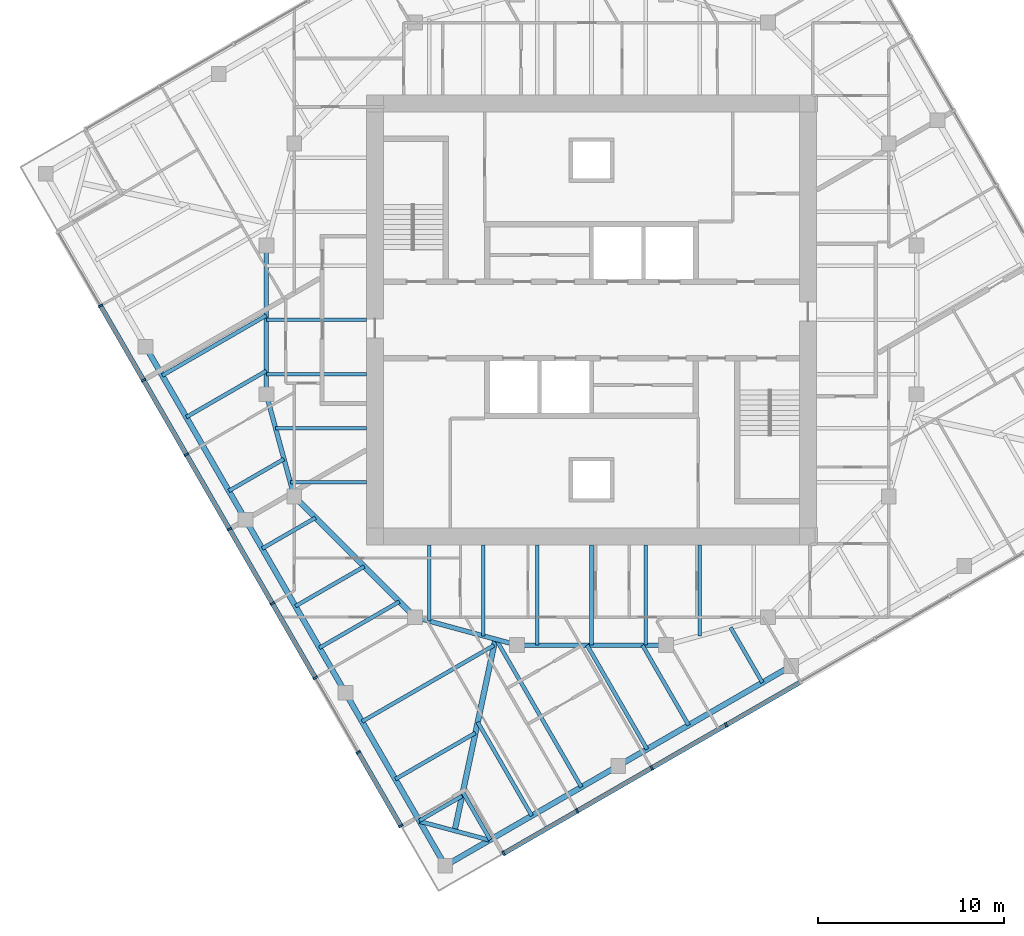
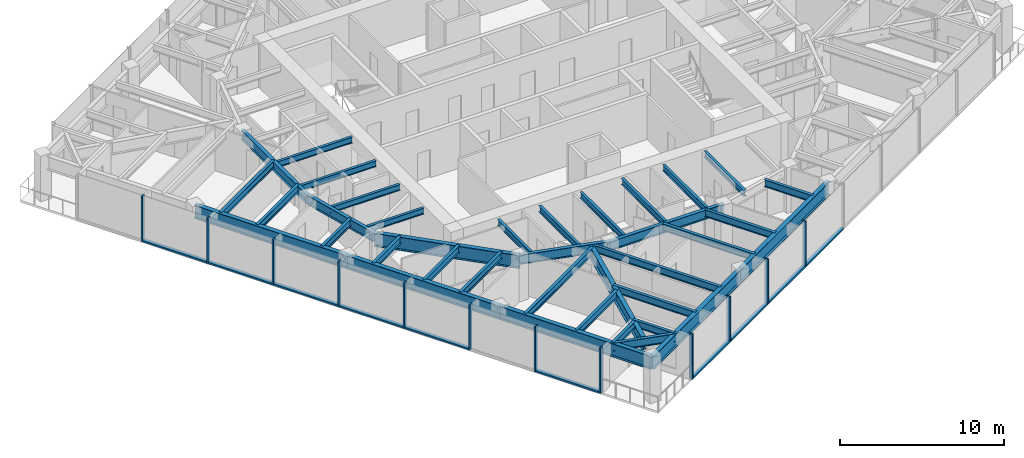
# One storey, part 2 of 13: 37 beams, 22 members, 2 elements without a shape of their own.
"""IFC4 building model written with IfcOpenShell, lengths in metres."""

from ifc_helpers import new_model, si_unit, direction, frame, origin, origin_2d, place, context, subcontext, project, spatial, rectangle, i_section, extrude, material, material_profile, profile_set, type_object, element, aggregate, save


model = new_model("IFC4")

# Units and contexts
model_context = context("Model", 3, precision=1e-05, world=origin(), true_north=direction((0.0, 1.0)))
body_context = subcontext(model_context, "Body", "Model", "MODEL_VIEW")
ifc_project = project(units=[si_unit("LENGTHUNIT", "METRE"), si_unit("AREAUNIT", "SQUARE_METRE"), si_unit("VOLUMEUNIT", "CUBIC_METRE"), si_unit("PLANEANGLEUNIT", "RADIAN"), si_unit("MASSUNIT", "GRAM", prefix="KILO")], contexts=[model_context])

# Site, building, storey
site_placement = place(None, origin())
site = spatial("IfcSite", under=ifc_project, at=site_placement, CompositionType="ELEMENT")
building_placement = place(site_placement, origin())
building = spatial("IfcBuilding", under=site, at=building_placement, Name="Torsade Residences", CompositionType="ELEMENT")
storey_placement = place(building_placement, frame((0.0, 0.0, 225.199951171875)))
storey = spatial("IfcBuildingStorey", under=building, at=storey_placement, Name="L62", CompositionType="ELEMENT", Elevation=225.199951171875)

# Beams
ifc_material_1 = material(Name="Steel grade 300", Category="steel")
ifc_material_profile_1 = material_profile(ifc_material_1, i_section(OverallWidth=0.300048828125, OverallDepth=0.89990234375, WebThickness=0.011962890625, FlangeThickness=0.02490234375, at=origin_2d()), Name="900WB175")
ifc_profile_set_1 = profile_set([ifc_material_profile_1], Name="Steel grade 300")
beam_type_1 = type_object("IfcBeamType", Name="CORNER GIRDER 900WB175", PredefinedType="BEAM", material=ifc_profile_set_1)
beam_1_placement = place(storey_placement, frame((32.6337890625, 2.5087890625, 2.800048828125), z_axis=(0.20806427425, 0.978115155685, 0.0), x_axis=(-0.978115155685, 0.20806427425, 0.0)))
element("IfcBeam", 1, at=beam_1_placement, inside=storey, type_object=beam_type_1, Name="Corner girder 01 L63", PredefinedType="BEAM", context=body_context, shape_type="SweptSolid", body=[
    extrude(i_section(OverallWidth=0.300048828125, OverallDepth=0.89990234375, WebThickness=0.011962890625, FlangeThickness=0.02490234375, at=origin_2d()), origin(), (0.0, 0.0, 1.0), 10.541748046875),
])
ifc_material_2 = material(Name="Steel grade 300", Category="steel")
ifc_material_profile_2 = material_profile(ifc_material_2, i_section(OverallWidth=0.22802734375, OverallDepth=0.60205078125, WebThickness=0.010498046875, FlangeThickness=0.014892578125, FilletRadius=0.013916015625, at=origin_2d()), Name="610UB101")
ifc_profile_set_2 = profile_set([ifc_material_profile_2], Name="Steel grade 300")
beam_type_2 = type_object("IfcBeamType", Name="CORNER TRIMMER 610UB101", PredefinedType="BEAM", material=ifc_profile_set_2)
beam_2_placement = place(storey_placement, frame((34.511962890625, 2.00537109375, 2.948974609375), z_axis=(-0.965924794002, 0.258822897619, 0.0), x_axis=(-0.258822897619, -0.965924794002, 0.0)))
element("IfcBeam", 2, at=beam_2_placement, inside=storey, type_object=beam_type_2, Name="Corner trimmer 01 L63", PredefinedType="BEAM", context=body_context, shape_type="SweptSolid", body=[
    extrude(i_section(OverallWidth=0.22802734375, OverallDepth=0.60205078125, WebThickness=0.010498046875, FlangeThickness=0.014892578125, FilletRadius=0.013916015625, at=origin_2d()), origin(), (0.0, 0.0, 1.0), 3.88916015625),
])
ifc_material_3 = material(Name="Steel grade 300", Category="steel")
ifc_material_profile_3 = material_profile(ifc_material_3, i_section(OverallWidth=0.300048828125, OverallDepth=1.0, WebThickness=0.01611328125, FlangeThickness=0.028076171875, at=origin_2d()), Name="1000WB215")
ifc_profile_set_3 = profile_set([ifc_material_profile_3], Name="Steel grade 300")
beam_type_3 = type_object("IfcBeamType", Name="EDGE BEAM 1000WB215", PredefinedType="SPANDREL", material=ifc_profile_set_3)
for number, where, z_axis, x_axis, name in (
    (3, (32.13037109375, 0.63037109375, 2.75), (0.866026365697, 0.499998333915, 0.0), (-0.499998333915, 0.866026365697, 0.0), "Edge beam 01 L63"),
    (4, (41.440185546875, 6.00537109375, 2.75), (0.866026365697, 0.499998333915, 0.0), (-0.499998333915, 0.866026365697, 0.0), "Edge beam 02 L63"),
    (5, (16.00537109375, 28.559814453125, 2.75), (0.499998333915, -0.866026365697, 0.0), (0.866026365697, 0.499998333915, 0.0), "Edge beam 14 L63"),
    (6, (21.38037109375, 19.25, 2.75), (0.499998333915, -0.866026365697, 0.0), (0.866026365697, 0.499998333915, 0.0), "Edge beam 15 L63"),
    (7, (26.75537109375, 9.940185546875, 2.75), (0.499998333915, -0.866026365697, 0.0), (0.866026365697, 0.499998333915, 0.0), "Edge beam 16 L63"),
):
    element("IfcBeam", number, at=place(storey_placement, frame(where, z_axis=z_axis, x_axis=x_axis)), inside=storey, type_object=beam_type_3, Name=name, PredefinedType="SPANDREL", context=body_context, shape_type="SweptSolid", body=[
        extrude(i_section(OverallWidth=0.300048828125, OverallDepth=1.0, WebThickness=0.01611328125, FlangeThickness=0.028076171875, at=origin_2d()), origin(), (0.0, 0.0, 1.0), 10.75),
    ])

# Curtain wall, members
ifc_material_4 = material(Name="Aluminium and glass", Category="aluminium")
curtain_wall_type = type_object("IfcCurtainWallType", Name="FRITTED GLASS CURTAIN WALL HIGH ZONE", PredefinedType="NOTDEFINED", material=ifc_material_4)
curtain_wall_1_placement = place(storey_placement, origin())
curtain_wall_1 = element("IfcCurtainWall", 8, at=curtain_wall_1_placement, inside=storey, type_object=curtain_wall_type, Name="Curtain wall L62 face 1", PredefinedType="NOTDEFINED")
ifc_material_5 = material(Name="Aluminium mullion", Category="aluminium")
ifc_material_profile_4 = material_profile(ifc_material_5, rectangle(XDim=0.25, YDim=0.10009765625, at=origin_2d()), Name="HIGH ZONE CURTAIN WALL MULLION 250x100")
ifc_profile_set_4 = profile_set([ifc_material_profile_4], Name="Aluminium mullion")
member_type_1 = type_object("IfcMemberType", Name="HIGH ZONE CURTAIN WALL MULLION 250x100", PredefinedType="MULLION", material=ifc_profile_set_4)
member_1_placement = place(storey_placement, frame((35.271728515625, 1.289306640625, 0.0), z_axis=(0.0, 0.0, 1.0), x_axis=(-0.499999999305, 0.866025404186, 0.0)))
member_1 = element("IfcMember", 9, at=member_1_placement, type_object=member_type_1, Name="Mullion 1", PredefinedType="MULLION", context=body_context, shape_type="SweptSolid", body=[
    extrude(rectangle(XDim=0.25, YDim=0.10009765625, at=origin_2d()), origin(), (0.0, 0.0, 1.0), 3.400146484375),
])
member_2_placement = place(storey_placement, frame((39.23388671875, 3.576904296875, 0.0), z_axis=(0.0, 0.0, 1.0), x_axis=(-0.499999999305, 0.866025404186, 0.0)))
member_2 = element("IfcMember", 10, at=member_2_placement, type_object=member_type_1, Name="Mullion 2", PredefinedType="MULLION", context=body_context, shape_type="SweptSolid", body=[
    extrude(rectangle(XDim=0.25, YDim=0.10009765625, at=origin_2d()), origin(), (0.0, 0.0, 1.0), 3.400146484375),
])
member_3_placement = place(storey_placement, frame((43.2392578125, 5.889404296875, 0.0), z_axis=(0.0, 0.0, 1.0), x_axis=(-0.499999999305, 0.866025404186, 0.0)))
member_3 = element("IfcMember", 11, at=member_3_placement, type_object=member_type_1, Name="Mullion 3", PredefinedType="MULLION", context=body_context, shape_type="SweptSolid", body=[
    extrude(rectangle(XDim=0.25, YDim=0.10009765625, at=origin_2d()), origin(), (0.0, 0.0, 1.0), 3.400146484375),
])
member_4_placement = place(storey_placement, frame((47.24462890625, 8.201904296875, 0.0), z_axis=(0.0, 0.0, 1.0), x_axis=(-0.499999999305, 0.866025404186, 0.0)))
member_4 = element("IfcMember", 12, at=member_4_placement, type_object=member_type_1, Name="Mullion 4", PredefinedType="MULLION", context=body_context, shape_type="SweptSolid", body=[
    extrude(rectangle(XDim=0.25, YDim=0.10009765625, at=origin_2d()), origin(), (0.0, 0.0, 1.0), 3.400146484375),
])

curtain_wall_2_placement = place(storey_placement, origin())
curtain_wall_2 = element("IfcCurtainWall", 13, at=curtain_wall_2_placement, inside=storey, type_object=curtain_wall_type, Name="Curtain wall L62 face 10", PredefinedType="NOTDEFINED")
member_5_placement = place(storey_placement, frame((13.576904296875, 30.76611328125, 0.0), z_axis=(0.0, 0.0, 1.0), x_axis=(0.866025404186, 0.499999999305, 0.0)))
member_5 = element("IfcMember", 14, at=member_5_placement, type_object=member_type_1, Name="Mullion 2", PredefinedType="MULLION", context=body_context, shape_type="SweptSolid", body=[
    extrude(rectangle(XDim=0.25, YDim=0.10009765625, at=origin_2d()), origin(), (0.0, 0.0, 1.0), 3.400146484375),
])
member_6_placement = place(storey_placement, frame((15.889404296875, 26.7607421875, 0.0), z_axis=(0.0, 0.0, 1.0), x_axis=(0.866025404186, 0.499999999305, 0.0)))
member_6 = element("IfcMember", 15, at=member_6_placement, type_object=member_type_1, Name="Mullion 3", PredefinedType="MULLION", context=body_context, shape_type="SweptSolid", body=[
    extrude(rectangle(XDim=0.25, YDim=0.10009765625, at=origin_2d()), origin(), (0.0, 0.0, 1.0), 3.400146484375),
])
member_7_placement = place(storey_placement, frame((18.201904296875, 22.75537109375, 0.0), z_axis=(0.0, 0.0, 1.0), x_axis=(0.866025404186, 0.499999999305, 0.0)))
member_7 = element("IfcMember", 16, at=member_7_placement, type_object=member_type_1, Name="Mullion 4", PredefinedType="MULLION", context=body_context, shape_type="SweptSolid", body=[
    extrude(rectangle(XDim=0.25, YDim=0.10009765625, at=origin_2d()), origin(), (0.0, 0.0, 1.0), 3.400146484375),
])
member_8_placement = place(storey_placement, frame((20.514404296875, 18.75, 0.0), z_axis=(0.0, 0.0, 1.0), x_axis=(0.866025404186, 0.499999999305, 0.0)))
member_8 = element("IfcMember", 17, at=member_8_placement, type_object=member_type_1, Name="Mullion 5", PredefinedType="MULLION", context=body_context, shape_type="SweptSolid", body=[
    extrude(rectangle(XDim=0.25, YDim=0.10009765625, at=origin_2d()), origin(), (0.0, 0.0, 1.0), 3.400146484375),
])
member_9_placement = place(storey_placement, frame((22.826904296875, 14.74462890625, 0.0), z_axis=(0.0, 0.0, 1.0), x_axis=(0.866025404186, 0.499999999305, 0.0)))
member_9 = element("IfcMember", 18, at=member_9_placement, type_object=member_type_1, Name="Mullion 6", PredefinedType="MULLION", context=body_context, shape_type="SweptSolid", body=[
    extrude(rectangle(XDim=0.25, YDim=0.10009765625, at=origin_2d()), origin(), (0.0, 0.0, 1.0), 3.400146484375),
])
member_10_placement = place(storey_placement, frame((25.139404296875, 10.7392578125, 0.0), z_axis=(0.0, 0.0, 1.0), x_axis=(0.866025404186, 0.499999999305, 0.0)))
member_10 = element("IfcMember", 19, at=member_10_placement, type_object=member_type_1, Name="Mullion 7", PredefinedType="MULLION", context=body_context, shape_type="SweptSolid", body=[
    extrude(rectangle(XDim=0.25, YDim=0.10009765625, at=origin_2d()), origin(), (0.0, 0.0, 1.0), 3.400146484375),
])
member_11_placement = place(storey_placement, frame((27.451904296875, 6.73388671875, 0.0), z_axis=(0.0, 0.0, 1.0), x_axis=(0.866025404186, 0.499999999305, 0.0)))
member_11 = element("IfcMember", 20, at=member_11_placement, type_object=member_type_1, Name="Mullion 8", PredefinedType="MULLION", context=body_context, shape_type="SweptSolid", body=[
    extrude(rectangle(XDim=0.25, YDim=0.10009765625, at=origin_2d()), origin(), (0.0, 0.0, 1.0), 3.400146484375),
])
member_12_placement = place(storey_placement, frame((29.739501953125, 2.771728515625, 0.0), z_axis=(0.0, 0.0, 1.0), x_axis=(0.866025404186, 0.499999999305, 0.0)))
member_12 = element("IfcMember", 21, at=member_12_placement, type_object=member_type_1, Name="Mullion 9", PredefinedType="MULLION", context=body_context, shape_type="SweptSolid", body=[
    extrude(rectangle(XDim=0.25, YDim=0.10009765625, at=origin_2d()), origin(), (0.0, 0.0, 1.0), 3.400146484375),
])

# Member
ifc_material_6 = material(Name="Aluminium transom", Category="aluminium")
ifc_material_profile_5 = material_profile(ifc_material_6, rectangle(XDim=0.25, YDim=0.1201171875, at=origin_2d()), Name="HIGH ZONE CURTAIN WALL TRANSOM 250x120")
ifc_profile_set_5 = profile_set([ifc_material_profile_5], Name="Aluminium transom")
member_type_2 = type_object("IfcMemberType", Name="HIGH ZONE CURTAIN WALL TRANSOM 250x120", PredefinedType="USERDEFINED", material=ifc_profile_set_5)
member_13_placement = place(storey_placement, frame((35.315185546875, 1.314453125, 0.06005859375), z_axis=(0.866022053326, 0.50000580312, 0.0), x_axis=(-0.50000580312, 0.866022053326, 0.0)))
member_13 = element("IfcMember", 22, at=member_13_placement, type_object=member_type_2, Name="Transom 1.1", ObjectType="TRANSOM", PredefinedType="USERDEFINED", context=body_context, shape_type="SweptSolid", body=[
    extrude(rectangle(XDim=0.25, YDim=0.1201171875, at=origin_2d()), origin(), (0.0, 0.0, 1.0), 4.47509765625),
])

member_14_placement = place(storey_placement, frame((39.277099609375, 3.601806640625, 0.06005859375), z_axis=(0.866016678684, 0.500015112013, 0.0), x_axis=(-0.500015112013, 0.866016678684, 0.0)))
member_14 = element("IfcMember", 23, at=member_14_placement, type_object=member_type_2, Name="Transom 2.1", ObjectType="TRANSOM", PredefinedType="USERDEFINED", context=body_context, shape_type="SweptSolid", body=[
    extrude(rectangle(XDim=0.25, YDim=0.1201171875, at=origin_2d()), origin(), (0.0, 0.0, 1.0), 4.525146484375),
])

member_15_placement = place(storey_placement, frame((43.282470703125, 5.914306640625, 0.06005859375), z_axis=(0.866016678684, 0.500015112013, 0.0), x_axis=(-0.500015112013, 0.866016678684, 0.0)))
member_15 = element("IfcMember", 24, at=member_15_placement, type_object=member_type_2, Name="Transom 3.1", ObjectType="TRANSOM", PredefinedType="USERDEFINED", context=body_context, shape_type="SweptSolid", body=[
    extrude(rectangle(XDim=0.25, YDim=0.1201171875, at=origin_2d()), origin(), (0.0, 0.0, 1.0), 4.525146484375),
])

member_16_placement = place(storey_placement, frame((47.287841796875, 8.226806640625, 0.06005859375), z_axis=(0.866016678684, 0.500015112013, 0.0), x_axis=(-0.500015112013, 0.866016678684, 0.0)))
member_16 = element("IfcMember", 25, at=member_16_placement, type_object=member_type_2, Name="Transom 4.1", ObjectType="TRANSOM", PredefinedType="USERDEFINED", context=body_context, shape_type="SweptSolid", body=[
    extrude(rectangle(XDim=0.25, YDim=0.1201171875, at=origin_2d()), origin(), (0.0, 0.0, 1.0), 4.525146484375),
])

aggregate(curtain_wall_1, [member_1, member_2, member_3, member_4, member_13, member_14, member_15, member_16])

member_17_placement = place(storey_placement, frame((13.601806640625, 30.722900390625, 0.06005859375), z_axis=(0.500015112013, -0.866016678684, 0.0), x_axis=(0.866016678684, 0.500015112013, 0.0)))
member_17 = element("IfcMember", 26, at=member_17_placement, type_object=member_type_2, Name="Transom 2.1", ObjectType="TRANSOM", PredefinedType="USERDEFINED", context=body_context, shape_type="SweptSolid", body=[
    extrude(rectangle(XDim=0.25, YDim=0.1201171875, at=origin_2d()), origin(), (0.0, 0.0, 1.0), 4.525146484375),
])

member_18_placement = place(storey_placement, frame((15.914306640625, 26.717529296875, 0.06005859375), z_axis=(0.500015112013, -0.866016678684, 0.0), x_axis=(0.866016678684, 0.500015112013, 0.0)))
member_18 = element("IfcMember", 27, at=member_18_placement, type_object=member_type_2, Name="Transom 3.1", ObjectType="TRANSOM", PredefinedType="USERDEFINED", context=body_context, shape_type="SweptSolid", body=[
    extrude(rectangle(XDim=0.25, YDim=0.1201171875, at=origin_2d()), origin(), (0.0, 0.0, 1.0), 4.525146484375),
])

member_19_placement = place(storey_placement, frame((18.226806640625, 22.712158203125, 0.06005859375), z_axis=(0.500015112013, -0.866016678684, 0.0), x_axis=(0.866016678684, 0.500015112013, 0.0)))
member_19 = element("IfcMember", 28, at=member_19_placement, type_object=member_type_2, Name="Transom 4.1", ObjectType="TRANSOM", PredefinedType="USERDEFINED", context=body_context, shape_type="SweptSolid", body=[
    extrude(rectangle(XDim=0.25, YDim=0.1201171875, at=origin_2d()), origin(), (0.0, 0.0, 1.0), 4.525146484375),
])

member_20_placement = place(storey_placement, frame((20.539306640625, 18.706787109375, 0.06005859375), z_axis=(0.500015112013, -0.866016678684, 0.0), x_axis=(0.866016678684, 0.500015112013, 0.0)))
member_20 = element("IfcMember", 29, at=member_20_placement, type_object=member_type_2, Name="Transom 5.1", ObjectType="TRANSOM", PredefinedType="USERDEFINED", context=body_context, shape_type="SweptSolid", body=[
    extrude(rectangle(XDim=0.25, YDim=0.1201171875, at=origin_2d()), origin(), (0.0, 0.0, 1.0), 4.525146484375),
])

member_21_placement = place(storey_placement, frame((22.851806640625, 14.701416015625, 0.06005859375), z_axis=(0.500015112013, -0.866016678684, 0.0), x_axis=(0.866016678684, 0.500015112013, 0.0)))
member_21 = element("IfcMember", 30, at=member_21_placement, type_object=member_type_2, Name="Transom 6.1", ObjectType="TRANSOM", PredefinedType="USERDEFINED", context=body_context, shape_type="SweptSolid", body=[
    extrude(rectangle(XDim=0.25, YDim=0.1201171875, at=origin_2d()), origin(), (0.0, 0.0, 1.0), 4.525146484375),
])

member_22_placement = place(storey_placement, frame((27.476806640625, 6.690673828125, 0.06005859375), z_axis=(0.50000580312, -0.866022053326, 0.0), x_axis=(0.866022053326, 0.50000580312, 0.0)))
member_22 = element("IfcMember", 31, at=member_22_placement, type_object=member_type_2, Name="Transom 8.1", ObjectType="TRANSOM", PredefinedType="USERDEFINED", context=body_context, shape_type="SweptSolid", body=[
    extrude(rectangle(XDim=0.25, YDim=0.1201171875, at=origin_2d()), origin(), (0.0, 0.0, 1.0), 4.47509765625),
])

aggregate(curtain_wall_2, [member_5, member_6, member_7, member_8, member_9, member_10, member_11, member_12, member_17, member_18, member_19, member_20, member_21, member_22])

# Beams
ifc_material_7 = material(Name="Steel grade 300", Category="steel")
ifc_material_profile_6 = material_profile(ifc_material_7, i_section(OverallWidth=0.18994140625, OverallDepth=0.4541015625, WebThickness=0.008544921875, FlangeThickness=0.0126953125, FilletRadius=0.011474609375, at=origin_2d()), Name="460UB67.1")
ifc_profile_set_6 = profile_set([ifc_material_profile_6], Name="Steel grade 300")
beam_type_4 = type_object("IfcBeamType", Name="INNER FLOOR BEAM 460UB67.1", PredefinedType="JOIST", material=ifc_profile_set_6)
beam_3_placement = place(storey_placement, frame((45.824951171875, 17.89990234375, 3.02294921875), z_axis=(0.0, -1.0, 0.0), x_axis=(1.0, 0.0, 0.0)))
element("IfcBeam", 32, at=beam_3_placement, inside=storey, type_object=beam_type_4, Name="Inner floor beam IS02 L63", PredefinedType="JOIST", context=body_context, shape_type="SweptSolid", body=[
    extrude(i_section(OverallWidth=0.18994140625, OverallDepth=0.4541015625, WebThickness=0.008544921875, FlangeThickness=0.0126953125, FilletRadius=0.011474609375, at=origin_2d()), origin(), (0.0, 0.0, 1.0), 4.902099609375),
])
for number, where, z_axis, x_axis, name in (
    (33, (42.91259765625, 17.89990234375, 3.02294921875), (0.0, -1.0, 0.0), (1.0, 0.0, 0.0), "Inner floor beam IS03 L63"),
    (34, (40.0, 17.89990234375, 3.02294921875), (0.0, -1.0, 0.0), (1.0, 0.0, 0.0), "Inner floor beam IS04 L63"),
    (35, (37.08740234375, 17.89990234375, 3.02294921875), (0.0, -1.0, 0.0), (1.0, 0.0, 0.0), "Inner floor beam IS05 L63"),
):
    element("IfcBeam", number, at=place(storey_placement, frame(where, z_axis=z_axis, x_axis=x_axis)), inside=storey, type_object=beam_type_4, Name=name, PredefinedType="JOIST", context=body_context, shape_type="SweptSolid", body=[
        extrude(i_section(OverallWidth=0.18994140625, OverallDepth=0.4541015625, WebThickness=0.008544921875, FlangeThickness=0.0126953125, FilletRadius=0.011474609375, at=origin_2d()), origin(), (0.0, 0.0, 1.0), 5.39990234375),
    ])
beam_4_placement = place(storey_placement, frame((34.175048828125, 17.89990234375, 3.02294921875), z_axis=(0.0, -1.0, 0.0), x_axis=(1.0, 0.0, 0.0)))
element("IfcBeam", 36, at=beam_4_placement, inside=storey, type_object=beam_type_4, Name="Inner floor beam IS06 L63", PredefinedType="JOIST", context=body_context, shape_type="SweptSolid", body=[
    extrude(i_section(OverallWidth=0.18994140625, OverallDepth=0.4541015625, WebThickness=0.008544921875, FlangeThickness=0.0126953125, FilletRadius=0.011474609375, at=origin_2d()), origin(), (0.0, 0.0, 1.0), 4.902099609375),
])
beam_5_placement = place(storey_placement, frame((31.262451171875, 17.89990234375, 3.02294921875), z_axis=(0.0, -1.0, 0.0), x_axis=(1.0, 0.0, 0.0)))
element("IfcBeam", 37, at=beam_5_placement, inside=storey, type_object=beam_type_4, Name="Inner floor beam IS07 L63", PredefinedType="JOIST", context=body_context, shape_type="SweptSolid", body=[
    extrude(i_section(OverallWidth=0.18994140625, OverallDepth=0.4541015625, WebThickness=0.008544921875, FlangeThickness=0.0126953125, FilletRadius=0.011474609375, at=origin_2d()), origin(), (0.0, 0.0, 1.0), 4.10791015625),
])
for number, where, z_axis, x_axis, name in (
    (38, (27.89990234375, 30.0, 3.02294921875), (-1.0, 0.0, 0.0), (0.0, -1.0, 0.0), "Inner floor beam IW04 L63"),
    (39, (27.89990234375, 27.08740234375, 3.02294921875), (-1.0, 0.0, 0.0), (0.0, -1.0, 0.0), "Inner floor beam IW05 L63"),
):
    element("IfcBeam", number, at=place(storey_placement, frame(where, z_axis=z_axis, x_axis=x_axis)), inside=storey, type_object=beam_type_4, Name=name, PredefinedType="JOIST", context=body_context, shape_type="SweptSolid", body=[
        extrude(i_section(OverallWidth=0.18994140625, OverallDepth=0.4541015625, WebThickness=0.008544921875, FlangeThickness=0.0126953125, FilletRadius=0.011474609375, at=origin_2d()), origin(), (0.0, 0.0, 1.0), 5.39990234375),
    ])
beam_6_placement = place(storey_placement, frame((27.89990234375, 24.175048828125, 3.02294921875), z_axis=(-1.0, 0.0, 0.0), x_axis=(0.0, -1.0, 0.0)))
element("IfcBeam", 40, at=beam_6_placement, inside=storey, type_object=beam_type_4, Name="Inner floor beam IW06 L63", PredefinedType="JOIST", context=body_context, shape_type="SweptSolid", body=[
    extrude(i_section(OverallWidth=0.18994140625, OverallDepth=0.4541015625, WebThickness=0.008544921875, FlangeThickness=0.0126953125, FilletRadius=0.011474609375, at=origin_2d()), origin(), (0.0, 0.0, 1.0), 4.902099609375),
])
beam_7_placement = place(storey_placement, frame((27.89990234375, 21.262451171875, 3.02294921875), z_axis=(-1.0, 0.0, 0.0), x_axis=(0.0, -1.0, 0.0)))
element("IfcBeam", 41, at=beam_7_placement, inside=storey, type_object=beam_type_4, Name="Inner floor beam IW07 L63", PredefinedType="JOIST", context=body_context, shape_type="SweptSolid", body=[
    extrude(i_section(OverallWidth=0.18994140625, OverallDepth=0.4541015625, WebThickness=0.008544921875, FlangeThickness=0.0126953125, FilletRadius=0.011474609375, at=origin_2d()), origin(), (0.0, 0.0, 1.0), 4.10791015625),
])
ifc_material_8 = material(Name="Steel grade 300", Category="steel")
ifc_material_profile_7 = material_profile(ifc_material_8, i_section(OverallWidth=0.300048828125, OverallDepth=1.0, WebThickness=0.01611328125, FlangeThickness=0.028076171875, at=origin_2d()), Name="1000WB215")
ifc_profile_set_7 = profile_set([ifc_material_profile_7], Name="Steel grade 300")
beam_type_5 = type_object("IfcBeamType", Name="RING CORNER GIRDER 1000WB215", PredefinedType="BEAM", material=ifc_profile_set_7)
beam_8_placement = place(storey_placement, frame((24.0, 20.5, 2.75), z_axis=(0.707106781187, -0.707106781187, 0.0), x_axis=(0.707106781187, 0.707106781187, 0.0)))
element("IfcBeam", 42, at=beam_8_placement, inside=storey, type_object=beam_type_5, Name="Ring girder IR11 L63", PredefinedType="BEAM", context=body_context, shape_type="SweptSolid", body=[
    extrude(i_section(OverallWidth=0.300048828125, OverallDepth=1.0, WebThickness=0.01611328125, FlangeThickness=0.028076171875, at=origin_2d()), origin(), (0.0, 0.0, 1.0), 9.1923828125),
])
ifc_material_9 = material(Name="Steel grade 300", Category="steel")
ifc_material_profile_8 = material_profile(ifc_material_9, i_section(OverallWidth=0.25, OverallDepth=0.699951171875, WebThickness=0.010009765625, FlangeThickness=0.02001953125, at=origin_2d()), Name="700WB130")
ifc_profile_set_8 = profile_set([ifc_material_profile_8], Name="Steel grade 300")
beam_type_6 = type_object("IfcBeamType", Name="RING GIRDER 700WB130", PredefinedType="BEAM", material=ifc_profile_set_8)
beam_9_placement = place(storey_placement, frame((22.5, 34.0, 2.900146484375), z_axis=(0.0, -1.0, 0.0), x_axis=(1.0, 0.0, 0.0)))
element("IfcBeam", 43, at=beam_9_placement, inside=storey, type_object=beam_type_6, Name="Ring girder IR09 L63", PredefinedType="BEAM", context=body_context, shape_type="SweptSolid", body=[
    extrude(i_section(OverallWidth=0.25, OverallDepth=0.699951171875, WebThickness=0.010009765625, FlangeThickness=0.02001953125, at=origin_2d()), origin(), (0.0, 0.0, 1.0), 8.0),
])
for number, where, z_axis, x_axis, name in (
    (44, (22.5, 26.0, 2.900146484375), (0.263117405792, -0.964763821238, 0.0), (0.964763821238, 0.263117405792, 0.0), "Ring girder IR10 L63"),
    (45, (30.5, 14.0, 2.900146484375), (0.964763821238, -0.263117405792, 0.0), (0.263117405792, 0.964763821238, 0.0), "Ring girder IR12 L63"),
):
    element("IfcBeam", number, at=place(storey_placement, frame(where, z_axis=z_axis, x_axis=x_axis)), inside=storey, type_object=beam_type_6, Name=name, PredefinedType="BEAM", context=body_context, shape_type="SweptSolid", body=[
        extrude(i_section(OverallWidth=0.25, OverallDepth=0.699951171875, WebThickness=0.010009765625, FlangeThickness=0.02001953125, at=origin_2d()), origin(), (0.0, 0.0, 1.0), 5.700927734375),
    ])
beam_10_placement = place(storey_placement, frame((36.0, 12.5, 2.900146484375), z_axis=(1.0, 0.0, 0.0), x_axis=(0.0, 1.0, 0.0)))
element("IfcBeam", 46, at=beam_10_placement, inside=storey, type_object=beam_type_6, Name="Ring girder IR13 L63", PredefinedType="BEAM", context=body_context, shape_type="SweptSolid", body=[
    extrude(i_section(OverallWidth=0.25, OverallDepth=0.699951171875, WebThickness=0.010009765625, FlangeThickness=0.02001953125, at=origin_2d()), origin(), (0.0, 0.0, 1.0), 8.0),
])
ifc_material_10 = material(Name="Steel grade 300", Category="steel")
ifc_material_profile_9 = material_profile(ifc_material_10, i_section(OverallWidth=0.208984375, OverallDepth=0.528076171875, WebThickness=0.009521484375, FlangeThickness=0.01318359375, FilletRadius=0.013916015625, at=origin_2d()), Name="530UB82.0")
ifc_profile_set_9 = profile_set([ifc_material_profile_9], Name="Steel grade 300")
beam_type_7 = type_object("IfcBeamType", Name="SECONDARY BEAM 530UB82.0", PredefinedType="JOIST", material=ifc_profile_set_9)
beam_11_placement = place(storey_placement, frame((34.548095703125, 2.0263671875, 2.986083984375), z_axis=(-0.500014013, 0.866017313224, 0.0), x_axis=(-0.866017313224, -0.500014013, 0.0)))
element("IfcBeam", 47, at=beam_11_placement, inside=storey, type_object=beam_type_7, Name="Floor beam FS01 L63", PredefinedType="JOIST", context=body_context, shape_type="SweptSolid", body=[
    extrude(i_section(OverallWidth=0.208984375, OverallDepth=0.528076171875, WebThickness=0.009521484375, FlangeThickness=0.01318359375, FilletRadius=0.013916015625, at=origin_2d()), origin(), (0.0, 0.0, 1.0), 2.94775390625),
])
beam_12_placement = place(storey_placement, frame((36.785400390625, 3.31787109375, 2.986083984375), z_axis=(-0.499990133118, 0.866031100357, 0.0), x_axis=(-0.866031100357, -0.499990133118, 0.0)))
element("IfcBeam", 48, at=beam_12_placement, inside=storey, type_object=beam_type_7, Name="Floor beam FS02 L63", PredefinedType="JOIST", context=body_context, shape_type="SweptSolid", body=[
    extrude(i_section(OverallWidth=0.208984375, OverallDepth=0.528076171875, WebThickness=0.009521484375, FlangeThickness=0.01318359375, FilletRadius=0.013916015625, at=origin_2d()), origin(), (0.0, 0.0, 1.0), 5.81591796875),
])
beam_13_placement = place(storey_placement, frame((39.45556640625, 4.859619140625, 2.986083984375), z_axis=(-0.500006393711, 0.866021712342, 0.0), x_axis=(-0.866021712342, -0.500006393711, 0.0)))
element("IfcBeam", 49, at=beam_13_placement, inside=storey, type_object=beam_type_7, Name="Floor beam FS03 L63", PredefinedType="JOIST", context=body_context, shape_type="SweptSolid", body=[
    extrude(i_section(OverallWidth=0.208984375, OverallDepth=0.528076171875, WebThickness=0.009521484375, FlangeThickness=0.01318359375, FilletRadius=0.013916015625, at=origin_2d()), origin(), (0.0, 0.0, 1.0), 9.1796875),
])
beam_14_placement = place(storey_placement, frame((42.991943359375, 6.9013671875, 2.986083984375), z_axis=(-0.500005767435, 0.866022073929, 0.0), x_axis=(-0.866022073929, -0.500005767435, 0.0)))
element("IfcBeam", 50, at=beam_14_placement, inside=storey, type_object=beam_type_7, Name="Floor beam FS04 L63", PredefinedType="JOIST", context=body_context, shape_type="SweptSolid", body=[
    extrude(i_section(OverallWidth=0.208984375, OverallDepth=0.528076171875, WebThickness=0.009521484375, FlangeThickness=0.01318359375, FilletRadius=0.013916015625, at=origin_2d()), origin(), (0.0, 0.0, 1.0), 6.46484375),
])
beam_15_placement = place(storey_placement, frame((45.22900390625, 8.19287109375, 2.986083984375), z_axis=(-0.499977414361, 0.866038443216, 0.0), x_axis=(-0.866038443216, -0.499977414361, 0.0)))
element("IfcBeam", 51, at=beam_15_placement, inside=storey, type_object=beam_type_7, Name="Floor beam FS05 L63", PredefinedType="JOIST", context=body_context, shape_type="SweptSolid", body=[
    extrude(i_section(OverallWidth=0.208984375, OverallDepth=0.528076171875, WebThickness=0.009521484375, FlangeThickness=0.01318359375, FilletRadius=0.013916015625, at=origin_2d()), origin(), (0.0, 0.0, 1.0), 4.973388671875),
])
beam_16_placement = place(storey_placement, frame((49.198486328125, 10.484619140625, 2.986083984375), z_axis=(-0.500041249073, 0.866001587311, 0.0), x_axis=(-0.866001587311, -0.500041249073, 0.0)))
element("IfcBeam", 52, at=beam_16_placement, inside=storey, type_object=beam_type_7, Name="Floor beam FS06 L63", PredefinedType="JOIST", context=body_context, shape_type="SweptSolid", body=[
    extrude(i_section(OverallWidth=0.208984375, OverallDepth=0.528076171875, WebThickness=0.009521484375, FlangeThickness=0.01318359375, FilletRadius=0.013916015625, at=origin_2d()), origin(), (0.0, 0.0, 1.0), 3.425048828125),
])
beam_17_placement = place(storey_placement, frame((16.9013671875, 27.008056640625, 2.986083984375), z_axis=(0.866022073929, 0.500005767435, 0.0), x_axis=(-0.500005767435, 0.866022073929, 0.0)))
element("IfcBeam", 53, at=beam_17_placement, inside=storey, type_object=beam_type_7, Name="Floor beam FW04 L63", PredefinedType="JOIST", context=body_context, shape_type="SweptSolid", body=[
    extrude(i_section(OverallWidth=0.208984375, OverallDepth=0.528076171875, WebThickness=0.009521484375, FlangeThickness=0.01318359375, FilletRadius=0.013916015625, at=origin_2d()), origin(), (0.0, 0.0, 1.0), 6.46484375),
])
beam_18_placement = place(storey_placement, frame((18.19287109375, 24.77099609375, 2.986083984375), z_axis=(0.866038443216, 0.499977414361, 0.0), x_axis=(-0.499977414361, 0.866038443216, 0.0)))
element("IfcBeam", 54, at=beam_18_placement, inside=storey, type_object=beam_type_7, Name="Floor beam FW05 L63", PredefinedType="JOIST", context=body_context, shape_type="SweptSolid", body=[
    extrude(i_section(OverallWidth=0.208984375, OverallDepth=0.528076171875, WebThickness=0.009521484375, FlangeThickness=0.01318359375, FilletRadius=0.013916015625, at=origin_2d()), origin(), (0.0, 0.0, 1.0), 4.973388671875),
])
beam_19_placement = place(storey_placement, frame((20.484619140625, 20.801513671875, 2.986083984375), z_axis=(0.866001587311, 0.500041249073, 0.0), x_axis=(-0.500041249073, 0.866001587311, 0.0)))
element("IfcBeam", 55, at=beam_19_placement, inside=storey, type_object=beam_type_7, Name="Floor beam FW06 L63", PredefinedType="JOIST", context=body_context, shape_type="SweptSolid", body=[
    extrude(i_section(OverallWidth=0.208984375, OverallDepth=0.528076171875, WebThickness=0.009521484375, FlangeThickness=0.01318359375, FilletRadius=0.013916015625, at=origin_2d()), origin(), (0.0, 0.0, 1.0), 3.425048828125),
])
beam_20_placement = place(storey_placement, frame((22.2763671875, 17.698486328125, 2.986083984375), z_axis=(0.866039541186, 0.499975512502, 0.0), x_axis=(-0.499975512502, 0.866039541186, 0.0)))
element("IfcBeam", 56, at=beam_20_placement, inside=storey, type_object=beam_type_7, Name="Floor beam FW07 L63", PredefinedType="JOIST", context=body_context, shape_type="SweptSolid", body=[
    extrude(i_section(OverallWidth=0.208984375, OverallDepth=0.528076171875, WebThickness=0.009521484375, FlangeThickness=0.01318359375, FilletRadius=0.013916015625, at=origin_2d()), origin(), (0.0, 0.0, 1.0), 3.312744140625),
])
beam_21_placement = place(storey_placement, frame((24.06787109375, 14.59521484375, 2.986083984375), z_axis=(0.866022880939, 0.500004369671, 0.0), x_axis=(-0.500004369671, 0.866022880939, 0.0)))
element("IfcBeam", 57, at=beam_21_placement, inside=storey, type_object=beam_type_7, Name="Floor beam FW08 L63", PredefinedType="JOIST", context=body_context, shape_type="SweptSolid", body=[
    extrude(i_section(OverallWidth=0.208984375, OverallDepth=0.528076171875, WebThickness=0.009521484375, FlangeThickness=0.01318359375, FilletRadius=0.013916015625, at=origin_2d()), origin(), (0.0, 0.0, 1.0), 4.27294921875),
])
beam_22_placement = place(storey_placement, frame((25.359619140625, 12.35791015625, 2.986083984375), z_axis=(0.866043933037, 0.49996790502, 0.0), x_axis=(-0.49996790502, 0.866043933037, 0.0)))
element("IfcBeam", 58, at=beam_22_placement, inside=storey, type_object=beam_type_7, Name="Floor beam FW09 L63", PredefinedType="JOIST", context=body_context, shape_type="SweptSolid", body=[
    extrude(i_section(OverallWidth=0.208984375, OverallDepth=0.528076171875, WebThickness=0.009521484375, FlangeThickness=0.01318359375, FilletRadius=0.013916015625, at=origin_2d()), origin(), (0.0, 0.0, 1.0), 4.965087890625),
])
beam_23_placement = place(storey_placement, frame((27.6513671875, 8.388671875, 2.986083984375), z_axis=(0.866030002502, 0.499992034702, 0.0), x_axis=(-0.499992034702, 0.866030002502, 0.0)))
element("IfcBeam", 59, at=beam_23_placement, inside=storey, type_object=beam_type_7, Name="Floor beam FW10 L63", PredefinedType="JOIST", context=body_context, shape_type="SweptSolid", body=[
    extrude(i_section(OverallWidth=0.208984375, OverallDepth=0.528076171875, WebThickness=0.009521484375, FlangeThickness=0.01318359375, FilletRadius=0.013916015625, at=origin_2d()), origin(), (0.0, 0.0, 1.0), 8.205322265625),
])
beam_24_placement = place(storey_placement, frame((29.44287109375, 5.285400390625, 2.986083984375), z_axis=(0.866043477274, 0.499968694491, 0.0), x_axis=(-0.499968694491, 0.866043477274, 0.0)))
element("IfcBeam", 60, at=beam_24_placement, inside=storey, type_object=beam_type_7, Name="Floor beam FW11 L63", PredefinedType="JOIST", context=body_context, shape_type="SweptSolid", body=[
    extrude(i_section(OverallWidth=0.208984375, OverallDepth=0.528076171875, WebThickness=0.009521484375, FlangeThickness=0.01318359375, FilletRadius=0.013916015625, at=origin_2d()), origin(), (0.0, 0.0, 1.0), 4.977783203125),
])
beam_25_placement = place(storey_placement, frame((30.734619140625, 3.048095703125, 2.986083984375), z_axis=(0.866041431316, 0.499972238474, 0.0), x_axis=(-0.499972238474, 0.866041431316, 0.0)))
element("IfcBeam", 61, at=beam_25_placement, inside=storey, type_object=beam_type_7, Name="Floor beam FW12 L63", PredefinedType="JOIST", context=body_context, shape_type="SweptSolid", body=[
    extrude(i_section(OverallWidth=0.208984375, OverallDepth=0.528076171875, WebThickness=0.009521484375, FlangeThickness=0.01318359375, FilletRadius=0.013916015625, at=origin_2d()), origin(), (0.0, 0.0, 1.0), 2.651123046875),
])

save(model, "model.ifc")
